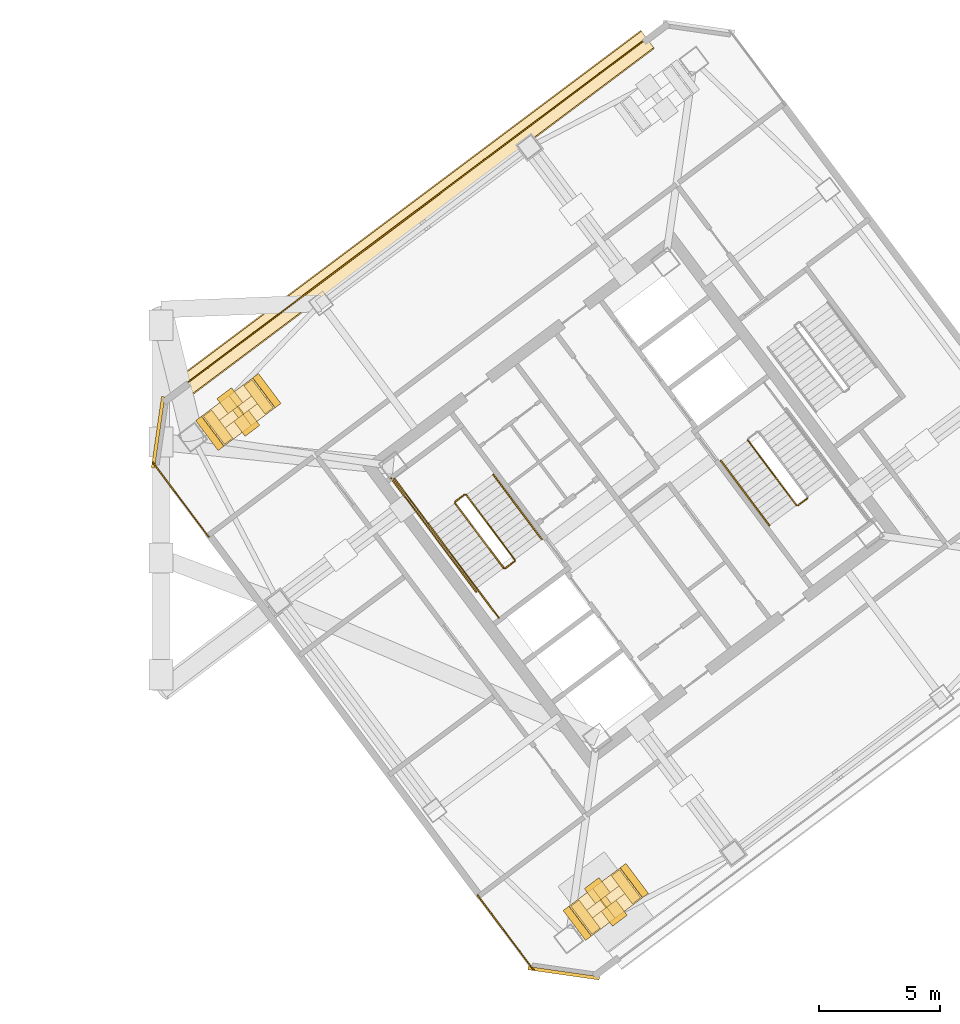
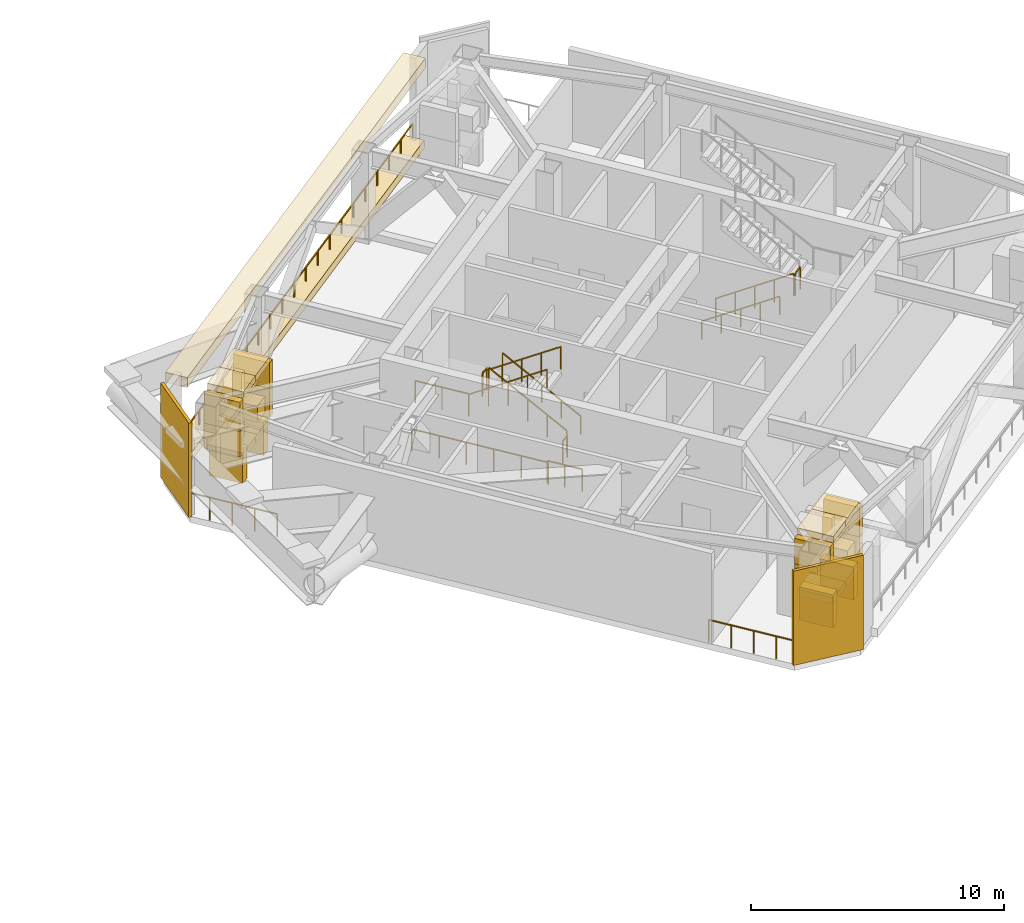
# One storey, part 12 of 15: 30 coverings, 15 railings.
"""IFC4 building model written with IfcOpenShell, lengths in metres."""

from ifc_helpers import new_model, si_unit, direction, frame, origin, origin_2d, place, context, subcontext, project, spatial, rectangle, extrude, material, layer, layer_set, type_object, element, save


model = new_model("IFC4")

# Units and contexts
model_context = context("Model", 3, precision=1e-05, world=origin(), true_north=direction((0.0, 1.0)))
body_context = subcontext(model_context, "Body", "Model", "MODEL_VIEW")
ifc_project = project(units=[si_unit("LENGTHUNIT", "METRE"), si_unit("AREAUNIT", "SQUARE_METRE"), si_unit("VOLUMEUNIT", "CUBIC_METRE"), si_unit("PLANEANGLEUNIT", "RADIAN"), si_unit("MASSUNIT", "GRAM", prefix="KILO")], contexts=[model_context])

# Site, building, storey
site_placement = place(None, origin())
site = spatial("IfcSite", under=ifc_project, at=site_placement, CompositionType="ELEMENT")
building_placement = place(site_placement, origin())
building = spatial("IfcBuilding", under=site, at=building_placement, Name="Tashvorn Skyway Center", CompositionType="ELEMENT")
storey_placement = place(building_placement, frame((0.0, 0.0, 246.800048828125)))
storey = spatial("IfcBuildingStorey", under=building, at=storey_placement, Name="L67", CompositionType="ELEMENT", Elevation=246.800048828125)

# Coverings
ifc_material_1 = material(Name="Perforated ceramic-coated bronze aluminium solar screen", Category="aluminium")
ifc_layer_1 = layer(ifc_material_1, 0.260009765625)
ifc_layer_set_1 = layer_set([ifc_layer_1], Name="Perforated ceramic-coated bronze aluminium solar screen")
covering_type_1 = type_object("IfcCoveringType", Name="COV-CROWN-SCREEN", PredefinedType="CLADDING", material=ifc_layer_set_1)
covering_1_placement = place(storey_placement, frame((114.12255859375, 16.217041015625, 2.752197265625), z_axis=(0.0, 0.0, 1.0), x_axis=(0.799999996291, 0.600000004945, 0.0)))
element("IfcCovering", 1, at=covering_1_placement, inside=storey, type_object=covering_type_1, Name="Tower 2 L67 Wind Turbine 1 Venturi Shroud Facet 1", PredefinedType="CLADDING", context=body_context, shape_type="SweptSolid", body=[
    extrude(rectangle(XDim=0.300048828125, YDim=1.550048828125, at=origin_2d()), origin(), (0.0, 0.0, 1.0), 1.419921875),
])
for number, where, z_axis, x_axis, name in (
    (2, (113.429931640625, 15.697265625, 4.17822265625), (0.0, 0.0, 1.0), (0.799999996291, 0.600000004945, 0.0), "Tower 2 L67 Wind Turbine 1 Venturi Shroud Facet 2"),
    (3, (112.4501953125, 14.962646484375, 4.17822265625), (0.0, 0.0, 1.0), (0.799999996291, 0.600000004945, 0.0), "Tower 2 L67 Wind Turbine 1 Venturi Shroud Facet 3"),
):
    element("IfcCovering", number, at=place(storey_placement, frame(where, z_axis=z_axis, x_axis=x_axis)), inside=storey, type_object=covering_type_1, Name=name, PredefinedType="CLADDING", context=body_context, shape_type="SweptSolid", body=[
        extrude(rectangle(XDim=1.419921875, YDim=1.550048828125, at=origin_2d()), origin(), (0.0, 0.0, 1.0), 0.300048828125),
    ])
for number, where, z_axis, x_axis, name in (
    (4, (111.75732421875, 14.443115234375, 2.752197265625), (0.0, 0.0, 1.0), (0.799999996291, 0.600000004945, 0.0), "Tower 2 L67 Wind Turbine 1 Venturi Shroud Facet 4"),
    (5, (111.75732421875, 14.443115234375, 1.527587890625), (0.0, 0.0, 1.0), (0.799999996291, 0.600000004945, 0.0), "Tower 2 L67 Wind Turbine 1 Venturi Shroud Facet 5"),
):
    element("IfcCovering", number, at=place(storey_placement, frame(where, z_axis=z_axis, x_axis=x_axis)), inside=storey, type_object=covering_type_1, Name=name, PredefinedType="CLADDING", context=body_context, shape_type="SweptSolid", body=[
        extrude(rectangle(XDim=0.300048828125, YDim=1.550048828125, at=origin_2d()), origin(), (0.0, 0.0, 1.0), 1.419921875),
    ])
for number, where, z_axis, x_axis, name in (
    (6, (112.4501953125, 14.962646484375, 1.2216796875), (0.0, 0.0, 1.0), (0.799999996291, 0.600000004945, 0.0), "Tower 2 L67 Wind Turbine 1 Venturi Shroud Facet 6"),
    (7, (113.429931640625, 15.697265625, 1.2216796875), (0.0, 0.0, 1.0), (0.799999996291, 0.600000004945, 0.0), "Tower 2 L67 Wind Turbine 1 Venturi Shroud Facet 7"),
):
    element("IfcCovering", number, at=place(storey_placement, frame(where, z_axis=z_axis, x_axis=x_axis)), inside=storey, type_object=covering_type_1, Name=name, PredefinedType="CLADDING", context=body_context, shape_type="SweptSolid", body=[
        extrude(rectangle(XDim=1.419921875, YDim=1.550048828125, at=origin_2d()), origin(), (0.0, 0.0, 1.0), 0.300048828125),
    ])
covering_2_placement = place(storey_placement, frame((114.12255859375, 16.217041015625, 1.527587890625), z_axis=(0.0, 0.0, 1.0), x_axis=(0.799999996291, 0.600000004945, 0.0)))
element("IfcCovering", 8, at=covering_2_placement, inside=storey, type_object=covering_type_1, Name="Tower 2 L67 Wind Turbine 1 Venturi Shroud Facet 8", PredefinedType="CLADDING", context=body_context, shape_type="SweptSolid", body=[
    extrude(rectangle(XDim=0.300048828125, YDim=1.550048828125, at=origin_2d()), origin(), (0.0, 0.0, 1.0), 1.419921875),
])
covering_3_placement = place(storey_placement, frame((112.93994140625, 15.330078125, 1.27001953125), z_axis=(0.0, 0.0, 1.0), x_axis=(0.799999996291, 0.600000004945, 0.0)))
element("IfcCovering", 9, at=covering_3_placement, inside=storey, type_object=covering_type_1, Name="Tower 2 L67 Wind Turbine 1 Vertical Rotor Blades", PredefinedType="CLADDING", context=body_context, shape_type="SweptSolid", body=[
    extrude(rectangle(XDim=0.280029296875, YDim=0.39990234375, at=origin_2d()), origin(), (0.0, 0.0, 1.0), 3.159912109375),
])
covering_4_placement = place(storey_placement, frame((112.93994140625, 15.330078125, 2.7099609375), z_axis=(0.0, 0.0, 1.0), x_axis=(0.799999996291, 0.600000004945, 0.0)))
element("IfcCovering", 10, at=covering_4_placement, inside=storey, type_object=covering_type_1, Name="Tower 2 L67 Wind Turbine 1 Horizontal Rotor Blades", PredefinedType="CLADDING", context=body_context, shape_type="SweptSolid", body=[
    extrude(rectangle(XDim=3.159912109375, YDim=0.39990234375, at=origin_2d()), origin(), (0.0, 0.0, 1.0), 0.280029296875),
])
covering_5_placement = place(storey_placement, frame((96.517333984375, 34.76318359375, 2.752197265625), z_axis=(0.0, 0.0, 1.0), x_axis=(-0.799999996291, -0.600000004945, 0.0)))
element("IfcCovering", 11, at=covering_5_placement, inside=storey, type_object=covering_type_1, Name="Tower 2 L67 Wind Turbine 3 Venturi Shroud Facet 1", PredefinedType="CLADDING", context=body_context, shape_type="SweptSolid", body=[
    extrude(rectangle(XDim=0.300048828125, YDim=1.550048828125, at=origin_2d()), origin(), (0.0, 0.0, 1.0), 1.419921875),
])
for number, where, z_axis, x_axis, name in (
    (12, (97.210205078125, 35.28271484375, 4.17822265625), (0.0, 0.0, 1.0), (-0.799999996291, -0.600000004945, 0.0), "Tower 2 L67 Wind Turbine 3 Venturi Shroud Facet 2"),
    (13, (98.18994140625, 36.017333984375, 4.17822265625), (0.0, 0.0, 1.0), (-0.799999996291, -0.600000004945, 0.0), "Tower 2 L67 Wind Turbine 3 Venturi Shroud Facet 3"),
):
    element("IfcCovering", number, at=place(storey_placement, frame(where, z_axis=z_axis, x_axis=x_axis)), inside=storey, type_object=covering_type_1, Name=name, PredefinedType="CLADDING", context=body_context, shape_type="SweptSolid", body=[
        extrude(rectangle(XDim=1.419921875, YDim=1.550048828125, at=origin_2d()), origin(), (0.0, 0.0, 1.0), 0.300048828125),
    ])
for number, where, z_axis, x_axis, name in (
    (14, (98.882568359375, 36.536865234375, 2.752197265625), (0.0, 0.0, 1.0), (-0.799999996291, -0.600000004945, 0.0), "Tower 2 L67 Wind Turbine 3 Venturi Shroud Facet 4"),
    (15, (98.882568359375, 36.536865234375, 1.527587890625), (0.0, 0.0, 1.0), (-0.799999996291, -0.600000004945, 0.0), "Tower 2 L67 Wind Turbine 3 Venturi Shroud Facet 5"),
):
    element("IfcCovering", number, at=place(storey_placement, frame(where, z_axis=z_axis, x_axis=x_axis)), inside=storey, type_object=covering_type_1, Name=name, PredefinedType="CLADDING", context=body_context, shape_type="SweptSolid", body=[
        extrude(rectangle(XDim=0.300048828125, YDim=1.550048828125, at=origin_2d()), origin(), (0.0, 0.0, 1.0), 1.419921875),
    ])
for number, where, z_axis, x_axis, name in (
    (16, (98.18994140625, 36.017333984375, 1.2216796875), (0.0, 0.0, 1.0), (-0.799999996291, -0.600000004945, 0.0), "Tower 2 L67 Wind Turbine 3 Venturi Shroud Facet 6"),
    (17, (97.210205078125, 35.28271484375, 1.2216796875), (0.0, 0.0, 1.0), (-0.799999996291, -0.600000004945, 0.0), "Tower 2 L67 Wind Turbine 3 Venturi Shroud Facet 7"),
):
    element("IfcCovering", number, at=place(storey_placement, frame(where, z_axis=z_axis, x_axis=x_axis)), inside=storey, type_object=covering_type_1, Name=name, PredefinedType="CLADDING", context=body_context, shape_type="SweptSolid", body=[
        extrude(rectangle(XDim=1.419921875, YDim=1.550048828125, at=origin_2d()), origin(), (0.0, 0.0, 1.0), 0.300048828125),
    ])
covering_6_placement = place(storey_placement, frame((96.517333984375, 34.76318359375, 1.527587890625), z_axis=(0.0, 0.0, 1.0), x_axis=(-0.799999996291, -0.600000004945, 0.0)))
element("IfcCovering", 18, at=covering_6_placement, inside=storey, type_object=covering_type_1, Name="Tower 2 L67 Wind Turbine 3 Venturi Shroud Facet 8", PredefinedType="CLADDING", context=body_context, shape_type="SweptSolid", body=[
    extrude(rectangle(XDim=0.300048828125, YDim=1.550048828125, at=origin_2d()), origin(), (0.0, 0.0, 1.0), 1.419921875),
])
covering_7_placement = place(storey_placement, frame((97.699951171875, 35.64990234375, 1.27001953125), z_axis=(0.0, 0.0, 1.0), x_axis=(-0.799999996291, -0.600000004945, 0.0)))
element("IfcCovering", 19, at=covering_7_placement, inside=storey, type_object=covering_type_1, Name="Tower 2 L67 Wind Turbine 3 Vertical Rotor Blades", PredefinedType="CLADDING", context=body_context, shape_type="SweptSolid", body=[
    extrude(rectangle(XDim=0.280029296875, YDim=0.39990234375, at=origin_2d()), origin(), (0.0, 0.0, 1.0), 3.159912109375),
])
covering_8_placement = place(storey_placement, frame((97.699951171875, 35.64990234375, 2.7099609375), z_axis=(0.0, 0.0, 1.0), x_axis=(-0.799999996291, -0.600000004945, 0.0)))
element("IfcCovering", 20, at=covering_8_placement, inside=storey, type_object=covering_type_1, Name="Tower 2 L67 Wind Turbine 3 Horizontal Rotor Blades", PredefinedType="CLADDING", context=body_context, shape_type="SweptSolid", body=[
    extrude(rectangle(XDim=3.159912109375, YDim=0.39990234375, at=origin_2d()), origin(), (0.0, 0.0, 1.0), 0.280029296875),
])
ifc_material_2 = material(Name="Precast concrete C40/50", Category="concrete")
ifc_layer_2 = layer(ifc_material_2, 0.35009765625)
ifc_layer_set_2 = layer_set([ifc_layer_2], Name="Precast concrete C40/50")
covering_type_2 = type_object("IfcCoveringType", Name="COV-STONE-TRIM", PredefinedType="CLADDING", material=ifc_layer_set_2)
covering_9_placement = place(storey_placement, frame((105.072021484375, 43.904052734375, 3.89990234375), z_axis=(0.0, 0.0, 1.0), x_axis=(0.799999996291, 0.600000004945, 0.0)))
element("IfcCovering", 21, at=covering_9_placement, inside=storey, type_object=covering_type_2, Name="Tower 2 L67 North Venturi Terracotta Upper Cowl", PredefinedType="CLADDING", context=body_context, shape_type="SweptSolid", body=[
    extrude(rectangle(XDim=24.0, YDim=0.949951171875, at=origin_2d()), origin(), (0.0, 0.0, 1.0), 0.47998046875),
])
covering_10_placement = place(storey_placement, frame((105.072021484375, 43.904052734375, 0.0), z_axis=(0.0, 0.0, 1.0), x_axis=(0.799999996291, 0.600000004945, 0.0)))
element("IfcCovering", 22, at=covering_10_placement, inside=storey, type_object=covering_type_2, Name="Tower 2 L67 North Venturi Limestone Sill Cowl", PredefinedType="CLADDING", context=body_context, shape_type="SweptSolid", body=[
    extrude(rectangle(XDim=24.0, YDim=0.85009765625, at=origin_2d()), origin(), (0.0, 0.0, 1.0), 0.39990234375),
])
for number, where, z_axis, x_axis, name in (
    (23, (111.196044921875, 12.3720703125, 0.02001953125), (0.0, 0.0, 1.0), (-0.989949494535, 0.141421350118, 0.0), "Tower 2 L67 SW Mojave Limestone Corner Quoin"),
    (24, (94.3720703125, 34.803955078125, 0.02001953125), (0.0, 0.0, 1.0), (-0.141421350118, -0.989949494535, 0.0), "Tower 2 L67 NW Mojave Limestone Corner Quoin"),
):
    element("IfcCovering", number, at=place(storey_placement, frame(where, z_axis=z_axis, x_axis=x_axis)), inside=storey, type_object=covering_type_2, Name=name, PredefinedType="CLADDING", context=body_context, shape_type="SweptSolid", body=[
        extrude(rectangle(XDim=2.98828125, YDim=0.139892578125, at=origin_2d()), origin(), (0.0, 0.0, 1.0), 4.56005859375),
    ])
for number, where, z_axis, x_axis, name in (
    (25, (112.10009765625, 14.699951171875, 0.0), (0.0, 0.0, 1.0), (0.799999996291, 0.600000004945, 0.0), "Tower 2 L67 Wind Turbine 1 Support Cradle 1"),
    (26, (113.780029296875, 15.9599609375, 0.0), (0.0, 0.0, 1.0), (0.799999996291, 0.600000004945, 0.0), "Tower 2 L67 Wind Turbine 1 Support Cradle 2"),
):
    element("IfcCovering", number, at=place(storey_placement, frame(where, z_axis=z_axis, x_axis=x_axis)), inside=storey, type_object=covering_type_2, Name=name, PredefinedType="CLADDING", context=body_context, shape_type="SweptSolid", body=[
        extrude(rectangle(XDim=0.419921875, YDim=1.449951171875, at=origin_2d()), origin(), (0.0, 0.0, 1.0), 1.60009765625),
    ])
covering_11_placement = place(storey_placement, frame((112.93994140625, 15.330078125, 2.4697265625), z_axis=(0.0, 0.0, 1.0), x_axis=(0.799999996291, 0.600000004945, 0.0)))
element("IfcCovering", 27, at=covering_11_placement, inside=storey, type_object=covering_type_2, Name="Tower 2 L67 Wind Turbine 1 Nacelle Hub", PredefinedType="CLADDING", context=body_context, shape_type="SweptSolid", body=[
    extrude(rectangle(XDim=0.760009765625, YDim=1.949951171875, at=origin_2d()), origin(), (0.0, 0.0, 1.0), 0.760009765625),
])
for number, where, z_axis, x_axis, name in (
    (28, (98.5400390625, 36.280029296875, 0.0), (0.0, 0.0, 1.0), (-0.799999996291, -0.600000004945, 0.0), "Tower 2 L67 Wind Turbine 3 Support Cradle 1"),
    (29, (96.860107421875, 35.02001953125, 0.0), (0.0, 0.0, 1.0), (-0.799999996291, -0.600000004945, 0.0), "Tower 2 L67 Wind Turbine 3 Support Cradle 2"),
):
    element("IfcCovering", number, at=place(storey_placement, frame(where, z_axis=z_axis, x_axis=x_axis)), inside=storey, type_object=covering_type_2, Name=name, PredefinedType="CLADDING", context=body_context, shape_type="SweptSolid", body=[
        extrude(rectangle(XDim=0.419921875, YDim=1.449951171875, at=origin_2d()), origin(), (0.0, 0.0, 1.0), 1.60009765625),
    ])
covering_12_placement = place(storey_placement, frame((97.699951171875, 35.64990234375, 2.4697265625), z_axis=(0.0, 0.0, 1.0), x_axis=(-0.799999996291, -0.600000004945, 0.0)))
element("IfcCovering", 30, at=covering_12_placement, inside=storey, type_object=covering_type_2, Name="Tower 2 L67 Wind Turbine 3 Nacelle Hub", PredefinedType="CLADDING", context=body_context, shape_type="SweptSolid", body=[
    extrude(rectangle(XDim=0.760009765625, YDim=1.949951171875, at=origin_2d()), origin(), (0.0, 0.0, 1.0), 0.760009765625),
])

# Railings
ifc_material_3 = material(Name="Galvanized steel S355", Category="steel")
railing_type_1 = type_object("IfcRailingType", Name="RAIL-GUARD-1120", PredefinedType="GUARDRAIL", material=ifc_material_3)
for number, where, name in (
    (31, (109.944091796875, 12.508056640625, 0.0), "L67 Tower 2 L67 Breezeway Guardrail A 01"),
    (32, (96.47412109375, 30.468017578125, 0.0), "L67 Tower 2 L67 Breezeway Guardrail B 01"),
):
    element("IfcRailing", number, at=place(storey_placement, frame(where)), inside=storey, type_object=railing_type_1, Name=name, PredefinedType="GUARDRAIL", context=body_context, shape_type="SweptSolid", body=[
        extrude(rectangle(XDim=0.048095703125, YDim=0.048095703125, at=origin_2d()), frame((0.0, 0.0, 1.09619140625), z_axis=(-0.600010093698, 0.799992429627, 0.0), x_axis=(-0.799992429627, -0.600010093698, 0.0)), (0.0, 0.0, 1.0), 3.869873046875),
        extrude(rectangle(XDim=0.0419921875, YDim=0.0419921875, at=origin_2d()), origin(), (0.0, 0.0, 1.0), 1.072021484375),
        extrude(rectangle(XDim=0.0419921875, YDim=0.0419921875, at=origin_2d()), frame((-0.58056640625, 0.77392578125, 0.0)), (0.0, 0.0, 1.0), 1.072021484375),
        extrude(rectangle(XDim=0.0419921875, YDim=0.0419921875, at=origin_2d()), frame((-1.1611328125, 1.5478515625, 0.0)), (0.0, 0.0, 1.0), 1.072021484375),
        extrude(rectangle(XDim=0.0419921875, YDim=0.0419921875, at=origin_2d()), frame((-1.741455078125, 2.322021484375, 0.0)), (0.0, 0.0, 1.0), 1.072021484375),
        extrude(rectangle(XDim=0.0419921875, YDim=0.0419921875, at=origin_2d()), frame((-2.322021484375, 3.095947265625, 0.0)), (0.0, 0.0, 1.0), 1.072021484375),
    ])
railing_1_placement = place(storey_placement, frame((95.468017578125, 36.77587890625, 0.0)))
element("IfcRailing", 33, at=railing_1_placement, inside=storey, type_object=railing_type_1, Name="L67 Tower 2 L67 Wind Slot Guardrail 01", PredefinedType="GUARDRAIL", context=body_context, shape_type="SweptSolid", body=[
    extrude(rectangle(XDim=0.048095703125, YDim=0.048095703125, at=origin_2d()), frame((0.0, 0.0, 1.09619140625), z_axis=(0.799998775214, 0.600001633045, 0.0), x_axis=(-0.600001633045, 0.799998775214, 0.0)), (0.0, 0.0, 1.0), 23.919921875),
    extrude(rectangle(XDim=0.0419921875, YDim=0.0419921875, at=origin_2d()), origin(), (0.0, 0.0, 1.0), 1.072021484375),
    extrude(rectangle(XDim=0.0419921875, YDim=0.0419921875, at=origin_2d()), frame((0.956787109375, 0.717529296875, 0.0)), (0.0, 0.0, 1.0), 1.072021484375),
    extrude(rectangle(XDim=0.0419921875, YDim=0.0419921875, at=origin_2d()), frame((1.91357421875, 1.435302734375, 0.0)), (0.0, 0.0, 1.0), 1.072021484375),
    extrude(rectangle(XDim=0.0419921875, YDim=0.0419921875, at=origin_2d()), frame((2.870361328125, 2.15283203125, 0.0)), (0.0, 0.0, 1.0), 1.072021484375),
    extrude(rectangle(XDim=0.0419921875, YDim=0.0419921875, at=origin_2d()), frame((3.8271484375, 2.870361328125, 0.0)), (0.0, 0.0, 1.0), 1.072021484375),
    extrude(rectangle(XDim=0.0419921875, YDim=0.0419921875, at=origin_2d()), frame((4.783935546875, 3.587890625, 0.0)), (0.0, 0.0, 1.0), 1.072021484375),
    extrude(rectangle(XDim=0.0419921875, YDim=0.0419921875, at=origin_2d()), frame((5.74072265625, 4.3056640625, 0.0)), (0.0, 0.0, 1.0), 1.072021484375),
    extrude(rectangle(XDim=0.0419921875, YDim=0.0419921875, at=origin_2d()), frame((6.697509765625, 5.023193359375, 0.0)), (0.0, 0.0, 1.0), 1.072021484375),
    extrude(rectangle(XDim=0.0419921875, YDim=0.0419921875, at=origin_2d()), frame((7.654296875, 5.74072265625, 0.0)), (0.0, 0.0, 1.0), 1.072021484375),
    extrude(rectangle(XDim=0.0419921875, YDim=0.0419921875, at=origin_2d()), frame((8.611083984375, 6.45849609375, 0.0)), (0.0, 0.0, 1.0), 1.072021484375),
    extrude(rectangle(XDim=0.0419921875, YDim=0.0419921875, at=origin_2d()), frame((9.56787109375, 7.176025390625, 0.0)), (0.0, 0.0, 1.0), 1.072021484375),
    extrude(rectangle(XDim=0.0419921875, YDim=0.0419921875, at=origin_2d()), frame((10.52490234375, 7.8935546875, 0.0)), (0.0, 0.0, 1.0), 1.072021484375),
    extrude(rectangle(XDim=0.0419921875, YDim=0.0419921875, at=origin_2d()), frame((11.481689453125, 8.611328125, 0.0)), (0.0, 0.0, 1.0), 1.072021484375),
    extrude(rectangle(XDim=0.0419921875, YDim=0.0419921875, at=origin_2d()), frame((12.4384765625, 9.328857421875, 0.0)), (0.0, 0.0, 1.0), 1.072021484375),
    extrude(rectangle(XDim=0.0419921875, YDim=0.0419921875, at=origin_2d()), frame((13.395263671875, 10.04638671875, 0.0)), (0.0, 0.0, 1.0), 1.072021484375),
    extrude(rectangle(XDim=0.0419921875, YDim=0.0419921875, at=origin_2d()), frame((14.35205078125, 10.76416015625, 0.0)), (0.0, 0.0, 1.0), 1.072021484375),
    extrude(rectangle(XDim=0.0419921875, YDim=0.0419921875, at=origin_2d()), frame((15.308837890625, 11.481689453125, 0.0)), (0.0, 0.0, 1.0), 1.072021484375),
    extrude(rectangle(XDim=0.0419921875, YDim=0.0419921875, at=origin_2d()), frame((16.265625, 12.19921875, 0.0)), (0.0, 0.0, 1.0), 1.072021484375),
    extrude(rectangle(XDim=0.0419921875, YDim=0.0419921875, at=origin_2d()), frame((17.222412109375, 12.916748046875, 0.0)), (0.0, 0.0, 1.0), 1.072021484375),
    extrude(rectangle(XDim=0.0419921875, YDim=0.0419921875, at=origin_2d()), frame((18.17919921875, 13.634521484375, 0.0)), (0.0, 0.0, 1.0), 1.072021484375),
    extrude(rectangle(XDim=0.0419921875, YDim=0.0419921875, at=origin_2d()), frame((19.135986328125, 14.35205078125, 0.0)), (0.0, 0.0, 1.0), 1.072021484375),
])
ifc_material_4 = material(Name="Brushed stainless steel 316", Category="steel")
railing_type_2 = type_object("IfcRailingType", Name="RAIL-HAND-920", PredefinedType="HANDRAIL", material=ifc_material_4)
railing_2_placement = place(storey_placement, frame((110.2880859375, 30.365966796875, 0.1767578125)))
element("IfcRailing", 34, at=railing_2_placement, inside=storey, type_object=railing_type_2, Name="L67 ST-T2-1 stair handrail 1", PredefinedType="HANDRAIL", context=body_context, shape_type="SweptSolid", body=[
    extrude(rectangle(XDim=0.048095703125, YDim=0.048095703125, at=origin_2d()), frame((0.0, 0.0, 0.8759765625), z_axis=(-0.507234690862, 0.676271972195, 0.534199576946), x_axis=(-0.79998256135, -0.600023250829, 0.0)), (0.0, 0.0, 1.0), 3.974609375),
    extrude(rectangle(XDim=0.0419921875, YDim=0.0419921875, at=origin_2d()), origin(), (0.0, 0.0, 1.0), 0.851806640625),
    extrude(rectangle(XDim=0.0419921875, YDim=0.0419921875, at=origin_2d()), frame((-0.50390625, 0.671875, 0.53076171875)), (0.0, 0.0, 1.0), 0.851806640625),
    extrude(rectangle(XDim=0.0419921875, YDim=0.0419921875, at=origin_2d()), frame((-1.008056640625, 1.343994140625, 1.0615234375)), (0.0, 0.0, 1.0), 0.851806640625),
    extrude(rectangle(XDim=0.0419921875, YDim=0.0419921875, at=origin_2d()), frame((-1.51220703125, 2.01611328125, 1.592529296875)), (0.0, 0.0, 1.0), 0.851806640625),
    extrude(rectangle(XDim=0.0419921875, YDim=0.0419921875, at=origin_2d()), frame((-2.01611328125, 2.68798828125, 2.123291015625)), (0.0, 0.0, 1.0), 0.851806640625),
])
railing_3_placement = place(storey_placement, frame((105.568115234375, 31.02587890625, 2.476806640625)))
element("IfcRailing", 35, at=railing_3_placement, inside=storey, type_object=railing_type_2, Name="L67 ST-T2-1 stair handrail 2", PredefinedType="HANDRAIL", context=body_context, shape_type="SweptSolid", body=[
    extrude(rectangle(XDim=0.048095703125, YDim=0.048095703125, at=origin_2d()), frame((0.0, 0.0, 0.8759765625), z_axis=(0.507205711726, -0.676315233875, 0.534172322777), x_axis=(0.800017438734, 0.59997674765, 0.0)), (0.0, 0.0, 1.0), 3.974365234375),
    extrude(rectangle(XDim=0.0419921875, YDim=0.0419921875, at=origin_2d()), origin(), (0.0, 0.0, 1.0), 0.851806640625),
    extrude(rectangle(XDim=0.0419921875, YDim=0.0419921875, at=origin_2d()), frame((0.50390625, -0.671875, 0.53076171875)), (0.0, 0.0, 1.0), 0.851806640625),
    extrude(rectangle(XDim=0.0419921875, YDim=0.0419921875, at=origin_2d()), frame((1.0078125, -1.343994140625, 1.0615234375)), (0.0, 0.0, 1.0), 0.851806640625),
    extrude(rectangle(XDim=0.0419921875, YDim=0.0419921875, at=origin_2d()), frame((1.511962890625, -2.01611328125, 1.59228515625)), (0.0, 0.0, 1.0), 0.851806640625),
    extrude(rectangle(XDim=0.0419921875, YDim=0.0419921875, at=origin_2d()), frame((2.015869140625, -2.68798828125, 2.123046875)), (0.0, 0.0, 1.0), 0.851806640625),
])
railing_4_placement = place(storey_placement, frame((117.7119140625, 33.634033203125, 0.1767578125)))
element("IfcRailing", 36, at=railing_4_placement, inside=storey, type_object=railing_type_2, Name="L67 ST-T2-2 stair handrail 1", PredefinedType="HANDRAIL", context=body_context, shape_type="SweptSolid", body=[
    extrude(rectangle(XDim=0.048095703125, YDim=0.048095703125, at=origin_2d()), frame((0.0, 0.0, 0.8759765625), z_axis=(0.507234690862, -0.676271972195, 0.534199576946), x_axis=(0.79998256135, 0.600023250829, 0.0)), (0.0, 0.0, 1.0), 3.974609375),
    extrude(rectangle(XDim=0.0419921875, YDim=0.0419921875, at=origin_2d()), origin(), (0.0, 0.0, 1.0), 0.851806640625),
    extrude(rectangle(XDim=0.0419921875, YDim=0.0419921875, at=origin_2d()), frame((0.50390625, -0.671875, 0.53076171875)), (0.0, 0.0, 1.0), 0.851806640625),
    extrude(rectangle(XDim=0.0419921875, YDim=0.0419921875, at=origin_2d()), frame((1.008056640625, -1.343994140625, 1.0615234375)), (0.0, 0.0, 1.0), 0.851806640625),
    extrude(rectangle(XDim=0.0419921875, YDim=0.0419921875, at=origin_2d()), frame((1.51220703125, -2.01611328125, 1.592529296875)), (0.0, 0.0, 1.0), 0.851806640625),
    extrude(rectangle(XDim=0.0419921875, YDim=0.0419921875, at=origin_2d()), frame((2.01611328125, -2.68798828125, 2.123291015625)), (0.0, 0.0, 1.0), 0.851806640625),
])
ifc_material_5 = material(Name="Painted galvanized steel S355", Category="steel")
railing_type_3 = type_object("IfcRailingType", Name="RAIL-STGUARD-1100", PredefinedType="GUARDRAIL", material=ifc_material_5)
railing_5_placement = place(storey_placement, frame((109.16796875, 29.52587890625, 0.1767578125)))
element("IfcRailing", 37, at=railing_5_placement, inside=storey, type_object=railing_type_3, Name="L67 ST-T2-1 stair guard 1", PredefinedType="GUARDRAIL", context=body_context, shape_type="SweptSolid", body=[
    extrude(rectangle(XDim=0.048095703125, YDim=0.048095703125, at=origin_2d()), frame((0.0, 0.0, 1.076171875), z_axis=(-0.507167999696, 0.676326370916, 0.534194028504), x_axis=(-0.800043593035, -0.599941871554, 0.0)), (0.0, 0.0, 1.0), 3.974853515625),
    extrude(rectangle(XDim=0.0419921875, YDim=0.0419921875, at=origin_2d()), origin(), (0.0, 0.0, 1.0), 1.052001953125),
    extrude(rectangle(XDim=0.0419921875, YDim=0.0419921875, at=origin_2d()), frame((-0.50390625, 0.672119140625, 0.53076171875)), (0.0, 0.0, 1.0), 1.052001953125),
    extrude(rectangle(XDim=0.0419921875, YDim=0.0419921875, at=origin_2d()), frame((-1.0078125, 1.34423828125, 1.0615234375)), (0.0, 0.0, 1.0), 1.052001953125),
    extrude(rectangle(XDim=0.0419921875, YDim=0.0419921875, at=origin_2d()), frame((-1.511962890625, 2.01611328125, 1.592529296875)), (0.0, 0.0, 1.0), 1.052001953125),
    extrude(rectangle(XDim=0.0419921875, YDim=0.0419921875, at=origin_2d()), frame((-2.015869140625, 2.688232421875, 2.123291015625)), (0.0, 0.0, 1.0), 1.052001953125),
])
railing_6_placement = place(storey_placement, frame((107.08203125, 32.22412109375, 2.300048828125)))
element("IfcRailing", 38, at=railing_6_placement, inside=storey, type_object=railing_type_3, Name="L67 ST-T2-1 stair guard 2", PredefinedType="GUARDRAIL", context=body_context, shape_type="SweptSolid", body=[
    extrude(rectangle(XDim=0.048095703125, YDim=0.048095703125, at=origin_2d()), frame((0.0, 0.0, 1.076171875), z_axis=(-0.799938970639, -0.600081363861, 0.0), x_axis=(0.600081363861, -0.799938970639, 0.0)), (0.0, 0.0, 1.0), 0.47998046875),
    extrude(rectangle(XDim=0.0419921875, YDim=0.0419921875, at=origin_2d()), origin(), (0.0, 0.0, 1.0), 1.052001953125),
    extrude(rectangle(XDim=0.0419921875, YDim=0.0419921875, at=origin_2d()), frame((-0.384033203125, -0.2880859375, 0.0)), (0.0, 0.0, 1.0), 1.052001953125),
])
railing_7_placement = place(storey_placement, frame((105.568115234375, 31.02587890625, 2.300048828125)))
element("IfcRailing", 39, at=railing_7_placement, inside=storey, type_object=railing_type_3, Name="L67 ST-T2-1 stair guard 3", PredefinedType="GUARDRAIL", context=body_context, shape_type="SweptSolid", body=[
    extrude(rectangle(XDim=0.048095703125, YDim=0.048095703125, at=origin_2d()), frame((0.0, 0.0, 1.076171875), z_axis=(-0.599983164142, 0.800012626617, 0.0), x_axis=(-0.800012626617, -0.599983164142, 0.0)), (0.0, 0.0, 1.0), 2.3203125),
    extrude(rectangle(XDim=0.0419921875, YDim=0.0419921875, at=origin_2d()), origin(), (0.0, 0.0, 1.0), 1.052001953125),
    extrude(rectangle(XDim=0.0419921875, YDim=0.0419921875, at=origin_2d()), frame((-0.696044921875, 0.92822265625, 0.0)), (0.0, 0.0, 1.0), 1.052001953125),
    extrude(rectangle(XDim=0.0419921875, YDim=0.0419921875, at=origin_2d()), frame((-1.39208984375, 1.856201171875, 0.0)), (0.0, 0.0, 1.0), 1.052001953125),
])
railing_8_placement = place(storey_placement, frame((106.68798828125, 31.865966796875, 2.476806640625)))
element("IfcRailing", 40, at=railing_8_placement, inside=storey, type_object=railing_type_3, Name="L67 ST-T2-1 stair guard 4", PredefinedType="GUARDRAIL", context=body_context, shape_type="SweptSolid", body=[
    extrude(rectangle(XDim=0.048095703125, YDim=0.048095703125, at=origin_2d()), frame((0.0, 0.0, 1.076171875), z_axis=(0.507251334297, -0.676294162098, 0.53415567971), x_axis=(0.79998256135, 0.600023250829, 0.0)), (0.0, 0.0, 1.0), 3.974609375),
    extrude(rectangle(XDim=0.0419921875, YDim=0.0419921875, at=origin_2d()), origin(), (0.0, 0.0, 1.0), 1.052001953125),
    extrude(rectangle(XDim=0.0419921875, YDim=0.0419921875, at=origin_2d()), frame((0.50390625, -0.671875, 0.53076171875)), (0.0, 0.0, 1.0), 1.052001953125),
    extrude(rectangle(XDim=0.0419921875, YDim=0.0419921875, at=origin_2d()), frame((1.008056640625, -1.343994140625, 1.0615234375)), (0.0, 0.0, 1.0), 1.052001953125),
    extrude(rectangle(XDim=0.0419921875, YDim=0.0419921875, at=origin_2d()), frame((1.51220703125, -2.01611328125, 1.59228515625)), (0.0, 0.0, 1.0), 1.052001953125),
    extrude(rectangle(XDim=0.0419921875, YDim=0.0419921875, at=origin_2d()), frame((2.01611328125, -2.68798828125, 2.123046875)), (0.0, 0.0, 1.0), 1.052001953125),
])
railing_9_placement = place(storey_placement, frame((109.157958984375, 29.4560546875, 0.0)))
element("IfcRailing", 41, at=railing_9_placement, inside=storey, type_object=railing_type_3, Name="L67 ST-T2-1 stair guard 5", PredefinedType="GUARDRAIL", context=body_context, shape_type="SweptSolid", body=[
    extrude(rectangle(XDim=0.048095703125, YDim=0.048095703125, at=origin_2d()), frame((0.0, 0.0, 1.076171875), z_axis=(-0.799938970639, -0.600081363861, 0.0), x_axis=(0.600081363861, -0.799938970639, 0.0)), (0.0, 0.0, 1.0), 0.47998046875),
    extrude(rectangle(XDim=0.0419921875, YDim=0.0419921875, at=origin_2d()), origin(), (0.0, 0.0, 1.0), 1.052001953125),
    extrude(rectangle(XDim=0.0419921875, YDim=0.0419921875, at=origin_2d()), frame((-0.384033203125, -0.2880859375, 0.0)), (0.0, 0.0, 1.0), 1.052001953125),
])
railing_10_placement = place(storey_placement, frame((108.49609375, 27.1220703125, 0.0)))
element("IfcRailing", 42, at=railing_10_placement, inside=storey, type_object=railing_type_3, Name="L67 ST-T2-1 stair guard 6", PredefinedType="GUARDRAIL", context=body_context, shape_type="SweptSolid", body=[
    extrude(rectangle(XDim=0.048095703125, YDim=0.048095703125, at=origin_2d()), frame((0.0, 0.0, 1.076171875), z_axis=(-0.600102796382, 0.799922892393, 0.0), x_axis=(-0.799922892393, -0.600102796382, 0.0)), (0.0, 0.0, 1.0), 1.52001953125),
    extrude(rectangle(XDim=0.0419921875, YDim=0.0419921875, at=origin_2d()), origin(), (0.0, 0.0, 1.0), 1.052001953125),
    extrude(rectangle(XDim=0.0419921875, YDim=0.0419921875, at=origin_2d()), frame((-0.4560546875, 0.60791015625, 0.0)), (0.0, 0.0, 1.0), 1.052001953125),
    extrude(rectangle(XDim=0.0419921875, YDim=0.0419921875, at=origin_2d()), frame((-0.912109375, 1.2158203125, 0.0)), (0.0, 0.0, 1.0), 1.052001953125),
])
railing_11_placement = place(storey_placement, frame((107.56396484375, 28.197998046875, 0.0)))
element("IfcRailing", 43, at=railing_11_placement, inside=storey, type_object=railing_type_3, Name="L67 ST-T2-1 stair guard 7", PredefinedType="GUARDRAIL", context=body_context, shape_type="SweptSolid", body=[
    extrude(rectangle(XDim=0.048095703125, YDim=0.048095703125, at=origin_2d()), frame((0.0, 0.0, 1.076171875), z_axis=(-0.6, 0.8, 0.0), x_axis=(-0.8, -0.6, 0.0)), (0.0, 0.0, 1.0), 5.880126953125),
    extrude(rectangle(XDim=0.0419921875, YDim=0.0419921875, at=origin_2d()), origin(), (0.0, 0.0, 1.0), 1.052001953125),
    extrude(rectangle(XDim=0.0419921875, YDim=0.0419921875, at=origin_2d()), frame((-0.70556640625, 0.94091796875, 0.0)), (0.0, 0.0, 1.0), 1.052001953125),
    extrude(rectangle(XDim=0.0419921875, YDim=0.0419921875, at=origin_2d()), frame((-1.4111328125, 1.881591796875, 0.0)), (0.0, 0.0, 1.0), 1.052001953125),
    extrude(rectangle(XDim=0.0419921875, YDim=0.0419921875, at=origin_2d()), frame((-2.116943359375, 2.822509765625, 0.0)), (0.0, 0.0, 1.0), 1.052001953125),
    extrude(rectangle(XDim=0.0419921875, YDim=0.0419921875, at=origin_2d()), frame((-2.822509765625, 3.76318359375, 0.0)), (0.0, 0.0, 1.0), 1.052001953125),
    extrude(rectangle(XDim=0.0419921875, YDim=0.0419921875, at=origin_2d()), frame((-3.528076171875, 4.7041015625, 0.0)), (0.0, 0.0, 1.0), 1.052001953125),
])
railing_12_placement = place(storey_placement, frame((118.83203125, 34.47412109375, 0.1767578125)))
element("IfcRailing", 44, at=railing_12_placement, inside=storey, type_object=railing_type_3, Name="L67 ST-T2-2 stair guard 1", PredefinedType="GUARDRAIL", context=body_context, shape_type="SweptSolid", body=[
    extrude(rectangle(XDim=0.048095703125, YDim=0.048095703125, at=origin_2d()), frame((0.0, 0.0, 1.076171875), z_axis=(0.507167999696, -0.676326370916, 0.534194028504), x_axis=(0.800043593035, 0.599941871554, 0.0)), (0.0, 0.0, 1.0), 3.974853515625),
    extrude(rectangle(XDim=0.0419921875, YDim=0.0419921875, at=origin_2d()), origin(), (0.0, 0.0, 1.0), 1.052001953125),
    extrude(rectangle(XDim=0.0419921875, YDim=0.0419921875, at=origin_2d()), frame((0.50390625, -0.672119140625, 0.53076171875)), (0.0, 0.0, 1.0), 1.052001953125),
    extrude(rectangle(XDim=0.0419921875, YDim=0.0419921875, at=origin_2d()), frame((1.0078125, -1.34423828125, 1.0615234375)), (0.0, 0.0, 1.0), 1.052001953125),
    extrude(rectangle(XDim=0.0419921875, YDim=0.0419921875, at=origin_2d()), frame((1.511962890625, -2.01611328125, 1.592529296875)), (0.0, 0.0, 1.0), 1.052001953125),
    extrude(rectangle(XDim=0.0419921875, YDim=0.0419921875, at=origin_2d()), frame((2.015869140625, -2.688232421875, 2.123291015625)), (0.0, 0.0, 1.0), 1.052001953125),
])
railing_13_placement = place(storey_placement, frame((120.91796875, 31.77587890625, 2.300048828125)))
element("IfcRailing", 45, at=railing_13_placement, inside=storey, type_object=railing_type_3, Name="L67 ST-T2-2 stair guard 2", PredefinedType="GUARDRAIL", context=body_context, shape_type="SweptSolid", body=[
    extrude(rectangle(XDim=0.048095703125, YDim=0.048095703125, at=origin_2d()), frame((0.0, 0.0, 1.076171875), z_axis=(0.799938970639, 0.600081363861, 0.0), x_axis=(-0.600081363861, 0.799938970639, 0.0)), (0.0, 0.0, 1.0), 0.47998046875),
    extrude(rectangle(XDim=0.0419921875, YDim=0.0419921875, at=origin_2d()), origin(), (0.0, 0.0, 1.0), 1.052001953125),
    extrude(rectangle(XDim=0.0419921875, YDim=0.0419921875, at=origin_2d()), frame((0.384033203125, 0.2880859375, 0.0)), (0.0, 0.0, 1.0), 1.052001953125),
])

save(model, "model.ifc")
